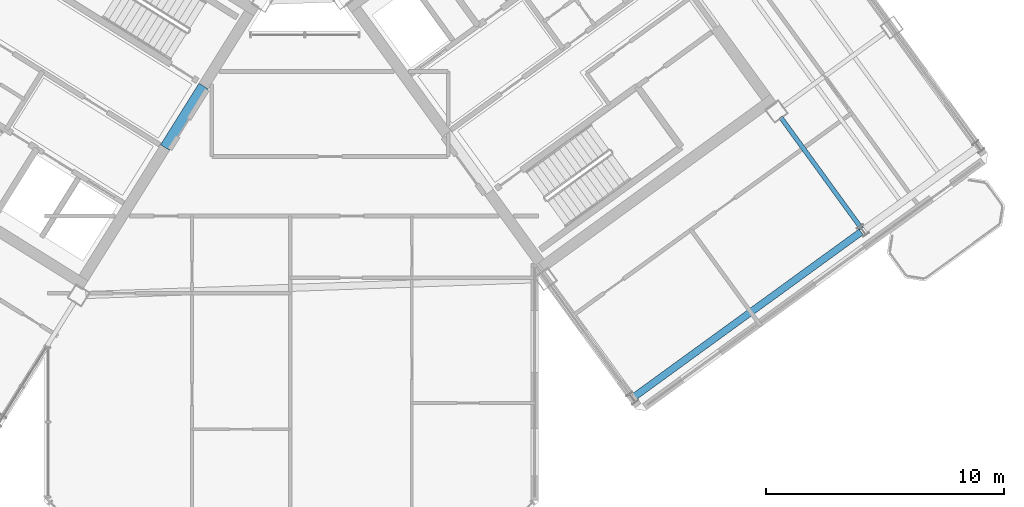
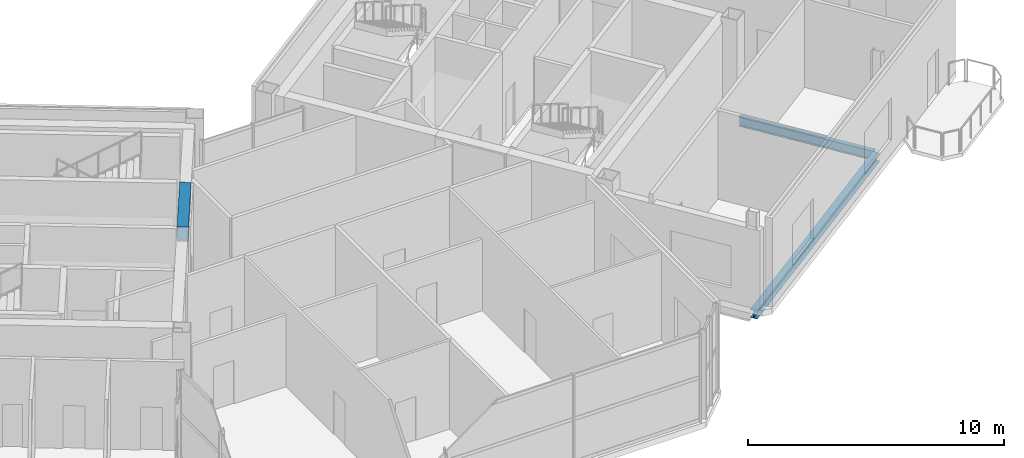
# One storey, part 11 of 27: 3 beams.
"""IFC4 building model written with IfcOpenShell, lengths in metres."""

from ifc_helpers import new_model, si_unit, direction, frame, origin, origin_2d, place, context, subcontext, project, spatial, rectangle, i_section, extrude, source, transform, mapped, material, material_profile, profile_set, type_object, element, save


model = new_model("IFC4")

# Units and contexts
model_context = context("Model", 3, precision=1e-05, world=origin(), true_north=direction((0.0, 1.0)))
body_context = subcontext(model_context, "Body", "Model", "MODEL_VIEW")
ifc_project = project(units=[si_unit("LENGTHUNIT", "METRE"), si_unit("AREAUNIT", "SQUARE_METRE"), si_unit("VOLUMEUNIT", "CUBIC_METRE"), si_unit("PLANEANGLEUNIT", "RADIAN"), si_unit("MASSUNIT", "GRAM", prefix="KILO")], contexts=[model_context])

# Site, building, storey
site_placement = place(None, origin())
site = spatial("IfcSite", under=ifc_project, at=site_placement, CompositionType="ELEMENT")
building_placement = place(site_placement, origin())
building = spatial("IfcBuilding", under=site, at=building_placement, Name="Tlacorven Tower", CompositionType="ELEMENT")
storey_placement = place(building_placement, frame((0.0, 0.0, 254.699951171875)))
storey = spatial("IfcBuildingStorey", under=building, at=storey_placement, Name="L64", CompositionType="ELEMENT", Elevation=254.699951171875)

# Beams
ifc_material_1 = material(Name="Concrete C60/75", Category="concrete")
ifc_material_profile_1 = material_profile(ifc_material_1, rectangle(XDim=0.449951171875, YDim=0.699951171875, at=origin_2d()), Name="RC 450X700")
ifc_profile_set_1 = profile_set([ifc_material_profile_1], Name="Concrete C60/75")
beam_type_1 = type_object("IfcBeamType", Name="BM-LNT-700", PredefinedType="LINTEL", material=ifc_profile_set_1)
shared_shape_1 = source(origin(), body_context, "Body", "SweptSolid", [
    extrude(rectangle(XDim=0.449951171875, YDim=0.699951171875, at=origin_2d()), origin(), (0.0, 0.0, 1.0), 3.050048828125),
])
beam_1_placement = place(storey_placement, frame((38.2998046875, 20.890625, 3.900146484375), z_axis=(-0.529984549635, -0.848007297815, 0.0), x_axis=(0.848007297815, -0.529984549635, 0.0)))
element("IfcBeam", 1, at=beam_1_placement, inside=storey, type_object=beam_type_1, Name="L64 W core coupling lintel beam E1", PredefinedType="LINTEL", context=body_context, shape_type="MappedRepresentation", body=[
    mapped(shared_shape_1, transform((0.0, 0.0, 0.0), scale=1.0)),
])
ifc_material_2 = material(Name="Steel S355J2", Category="steel")
ifc_material_profile_2 = material_profile(ifc_material_2, i_section(OverallWidth=0.300048828125, OverallDepth=0.389892578125, WebThickness=0.010986328125, FlangeThickness=0.01904296875, at=origin_2d()), Name="HEA 400")
ifc_profile_set_2 = profile_set([ifc_material_profile_2], Name="Steel S355J2")
beam_type_2 = type_object("IfcBeamType", Name="BM-SPN-400", PredefinedType="SPANDREL", material=ifc_profile_set_2)
shared_shape_2 = source(origin(), body_context, "Body", "SweptSolid", [
    extrude(i_section(OverallWidth=0.300048828125, OverallDepth=0.389892578125, WebThickness=0.010986328125, FlangeThickness=0.01904296875, at=origin_2d()), origin(), (0.0, 0.0, 1.0), 11.800048828125),
])
beam_2_placement = place(storey_placement, frame((56.4306640625, 7.816162109375, -0.474853515625), z_axis=(0.80900977213, 0.587795192732, 0.0), x_axis=(-0.587795192732, 0.80900977213, 0.0)))
element("IfcBeam", 2, at=beam_2_placement, inside=storey, type_object=beam_type_2, Name="L64 beam BM-L64-EL1-1", PredefinedType="SPANDREL", context=body_context, shape_type="MappedRepresentation", body=[
    mapped(shared_shape_2, transform((0.0, 0.0, 0.0), scale=1.0)),
])
ifc_material_profile_3 = material_profile(ifc_material_2, i_section(OverallWidth=0.18994140625, OverallDepth=0.449951171875, WebThickness=0.009521484375, FlangeThickness=0.0146484375, at=origin_2d()), Name="IPE 450")
ifc_profile_set_3 = profile_set([ifc_material_profile_3], Name="Steel S355J2")
beam_type_3 = type_object("IfcBeamType", Name="BM-TWR-450", PredefinedType="BEAM", material=ifc_profile_set_3)
shared_shape_3 = source(origin(), body_context, "Body", "SweptSolid", [
    extrude(i_section(OverallWidth=0.18994140625, OverallDepth=0.449951171875, WebThickness=0.009521484375, FlangeThickness=0.0146484375, at=origin_2d()), origin(), (0.0, 0.0, 1.0), 5.800048828125),
])
beam_3_placement = place(storey_placement, frame((65.9990234375, 14.891845703125, -0.5048828125), z_axis=(-0.587781191743, 0.809019944521, 0.0), x_axis=(-0.809019944521, -0.587781191743, 0.0)))
element("IfcBeam", 3, at=beam_3_placement, inside=storey, type_object=beam_type_3, Name="L64 beam BM-L64-ET3-1", PredefinedType="BEAM", context=body_context, shape_type="MappedRepresentation", body=[
    mapped(shared_shape_3, transform((0.0, 0.0, 0.0), scale=1.0)),
])

save(model, "model.ifc")
